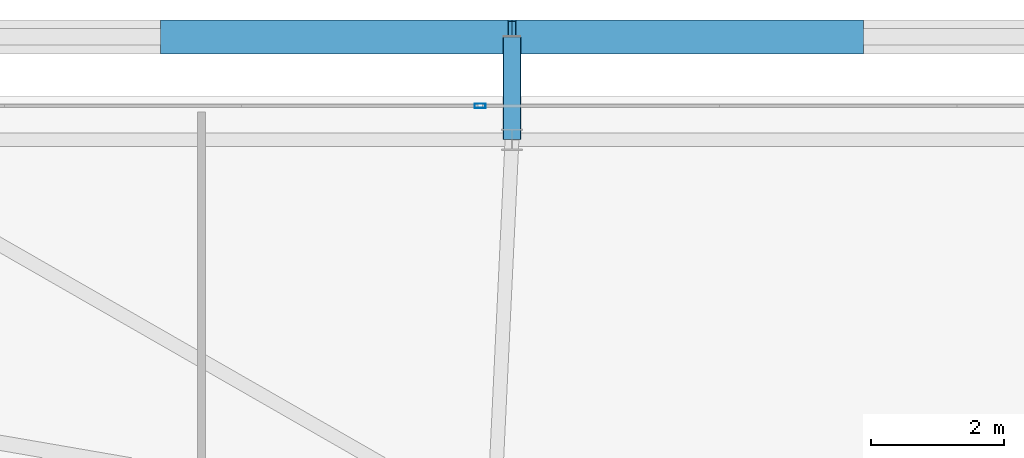
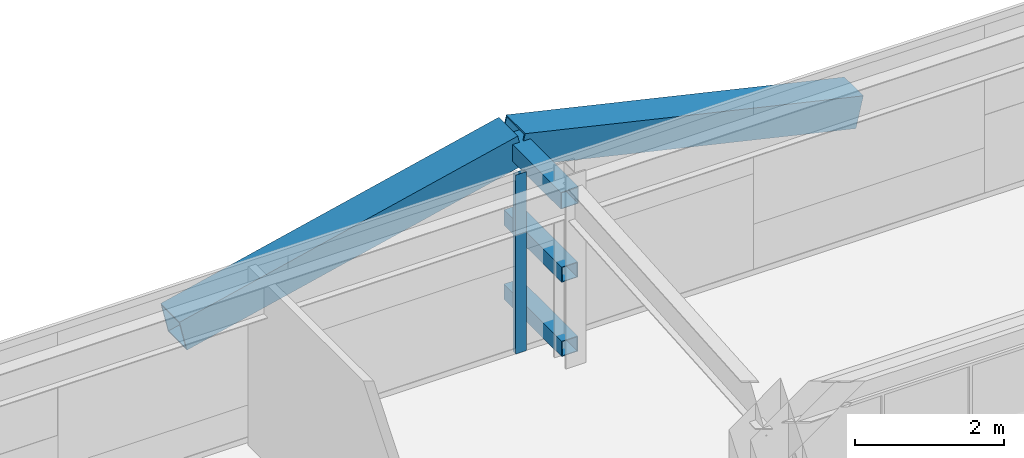
# One storey, part 23 of 44: 6 members, 1 element without a shape of its own.
"""IFC4 building model written with IfcOpenShell, lengths in metres."""

from ifc_helpers import new_model, si_unit, direction, frame, origin, origin_2d, place, context, subcontext, project, spatial, hollow_rectangle, extrude, source, transform, mapped, material, layer, layer_set, material_profile, profile_set, type_object, element, aggregate, save


model = new_model("IFC4")

# Units and contexts
model_context = context("Model", 3, precision=1e-05, world=origin(), true_north=direction((0.0, 1.0)))
body_context = subcontext(model_context, "Body", "Model", "MODEL_VIEW")
ifc_project = project(units=[si_unit("LENGTHUNIT", "METRE"), si_unit("AREAUNIT", "SQUARE_METRE"), si_unit("VOLUMEUNIT", "CUBIC_METRE"), si_unit("PLANEANGLEUNIT", "RADIAN"), si_unit("MASSUNIT", "GRAM", prefix="KILO")], contexts=[model_context])

# Site, building, storey
site_placement = place(None, origin())
site = spatial("IfcSite", under=ifc_project, at=site_placement, CompositionType="ELEMENT")
building_placement = place(site_placement, origin())
building = spatial("IfcBuilding", under=site, at=building_placement, Name="Taldren Reach Tower", CompositionType="ELEMENT")
storey_placement = place(building_placement, frame((0.0, 0.0, 42.0)))
storey = spatial("IfcBuildingStorey", under=building, at=storey_placement, Name="L12", CompositionType="ELEMENT", Elevation=42.0)

# Members
ifc_material_1 = material(Name="Steel Gr 450 (C450L0)", Category="steel")
ifc_material_profile_1 = material_profile(ifc_material_1, hollow_rectangle(XDim=0.27490234375, YDim=0.27490234375, WallThickness=0.00927734375, at=origin_2d()), Name="275x275x9.3SHS")
ifc_profile_set_1 = profile_set([ifc_material_profile_1], Name="Steel Gr 450 (C450L0)")
member_type_1 = type_object("IfcMemberType", Name="MB-TIE273", PredefinedType="STRUT", material=ifc_profile_set_1)
shared_shape_1 = source(origin(), body_context, "Body", "SweptSolid", [
    extrude(hollow_rectangle(XDim=0.27490234375, YDim=0.27490234375, WallThickness=0.00927734375, at=origin_2d()), origin(), (0.0, 0.0, 1.0), 1.5498046875),
])
member_1_placement = place(storey_placement, frame((19.280029296875, 37.85009765625, 2.64990234375), z_axis=(0.0, 1.0, 0.0), x_axis=(-1.0, 0.0, 0.0)))
element("IfcMember", 1, at=member_1_placement, inside=storey, type_object=member_type_1, Name="Exoskeleton diaphragm tie strut B1-N2 L12", PredefinedType="STRUT", context=body_context, shape_type="MappedRepresentation", body=[
    mapped(shared_shape_1, transform((0.0, 0.0, 0.0), scale=1.0)),
])
ifc_material_profile_2 = material_profile(ifc_material_1, hollow_rectangle(XDim=0.510009765625, YDim=0.510009765625, WallThickness=0.02001953125, at=origin_2d()), Name="510x510x20.0SHS")
ifc_profile_set_2 = profile_set([ifc_material_profile_2], Name="Steel Gr 450 (C450L0)")
member_type_2 = type_object("IfcMemberType", Name="MB-EXO508", PredefinedType="BRACE", material=ifc_profile_set_2)
shared_shape_2 = source(origin(), body_context, "Body", "SweptSolid", [
    extrude(hollow_rectangle(XDim=0.510009765625, YDim=0.510009765625, WallThickness=0.02001953125, at=origin_2d()), origin(), (0.0, 0.0, 1.0), 5.37890625),
])
for number, where, z_axis, x_axis, name in (
    (2, (14.0400390625, 39.39990234375, 1.43505859375), (0.974161966843, 0.0, 0.225850531007), (0.0, 1.0, 0.0), "Exoskeleton Diagrid Brace B1-N1 L12"),
    (3, (24.52001953125, 39.39990234375, 1.43505859375), (-0.974161966843, 0.0, 0.225850531007), (0.0, -1.0, 0.0), "Exoskeleton Diagrid Brace B1-N2 L12"),
):
    element("IfcMember", number, at=place(storey_placement, frame(where, z_axis=z_axis, x_axis=x_axis)), inside=storey, type_object=member_type_2, Name=name, PredefinedType="BRACE", context=body_context, shape_type="MappedRepresentation", body=[
        mapped(shared_shape_2, transform((0.0, 0.0, 0.0), scale=1.0)),
    ])
ifc_material_2 = material(Name="Steel Gr 350 (C350L0)", Category="steel")
ifc_material_profile_3 = material_profile(ifc_material_2, hollow_rectangle(XDim=0.25, YDim=0.25, WallThickness=0.010009765625, at=origin_2d()), Name="250x250x10.0SHS")
ifc_profile_set_3 = profile_set([ifc_material_profile_3], Name="Steel Gr 350 (C350L0)")
member_type_3 = type_object("IfcMemberType", Name="MB-POST250", PredefinedType="POST", material=ifc_profile_set_3)
shared_shape_3 = source(origin(), body_context, "Body", "SweptSolid", [
    extrude(hollow_rectangle(XDim=0.25, YDim=0.25, WallThickness=0.010009765625, at=origin_2d()), origin(), (0.0, 0.0, 1.0), 1.5498046875),
])
for number, where, z_axis, x_axis, name in (
    (4, (19.280029296875, 37.85009765625, 0.219970703125), (0.0, 1.0, 0.0), (-1.0, 0.0, 0.0), "Exoskeleton base diaphragm tie strut B1-N2 L12"),
    (5, (19.280029296875, 37.85009765625, 1.43505859375), (0.0, 1.0, 0.0), (-1.0, 0.0, 0.0), "Exoskeleton mid-tier diaphragm tie B1-N2 L12"),
):
    element("IfcMember", number, at=place(storey_placement, frame(where, z_axis=z_axis, x_axis=x_axis)), inside=storey, type_object=member_type_3, Name=name, PredefinedType="POST", context=body_context, shape_type="MappedRepresentation", body=[
        mapped(shared_shape_3, transform((0.0, 0.0, 0.0), scale=1.0)),
    ])

# Curtain wall, member
ifc_material_3 = material(Name="Aluminium and Low-E Glass Unitised System", Category="aluminium")
ifc_layer = layer(ifc_material_3, 0.159912109375)
ifc_layer_set = layer_set([ifc_layer], Name="Aluminium and Low-E Glass Unitised System")
curtain_wall_type = type_object("IfcCurtainWallType", Name="CW-SYS-2", PredefinedType="NOTDEFINED", material=ifc_layer_set)
curtain_wall_placement = place(storey_placement, origin())
curtain_wall = element("IfcCurtainWall", 6, at=curtain_wall_placement, inside=storey, type_object=curtain_wall_type, Name="Unitised curtain wall CW-L12-N", PredefinedType="NOTDEFINED")
ifc_material_4 = material(Name="Anodised Aluminium 6063-T6", Category="aluminium")
ifc_material_profile_4 = material_profile(ifc_material_4, hollow_rectangle(XDim=0.06494140625, YDim=0.1650390625, WallThickness=0.00390625, at=origin_2d()), Name="ALU-165x65x4RHS")
ifc_profile_set_4 = profile_set([ifc_material_profile_4], Name="Anodised Aluminium 6063-T6")
member_type_4 = type_object("IfcMemberType", Name="CW-MUL-165", PredefinedType="MULLION", material=ifc_profile_set_4)
shared_shape_4 = source(origin(), body_context, "Body", "SweptSolid", [
    extrude(hollow_rectangle(XDim=0.06494140625, YDim=0.1650390625, WallThickness=0.00390625, at=origin_2d()), origin(), (0.0, 0.0, 1.0), 2.929931640625),
])
member_2_placement = place(storey_placement, frame((18.800048828125, 38.360107421875, 0.0), z_axis=(0.0, 0.0, 1.0), x_axis=(0.0, -1.0, 0.0)))
member_2 = element("IfcMember", 7, at=member_2_placement, type_object=member_type_4, Name="CW-2 mullion 5", PredefinedType="MULLION", context=body_context, shape_type="MappedRepresentation", body=[
    mapped(shared_shape_4, transform((0.0, 0.0, 0.0), scale=1.0)),
])
aggregate(curtain_wall, [member_2])

save(model, "model.ifc")
